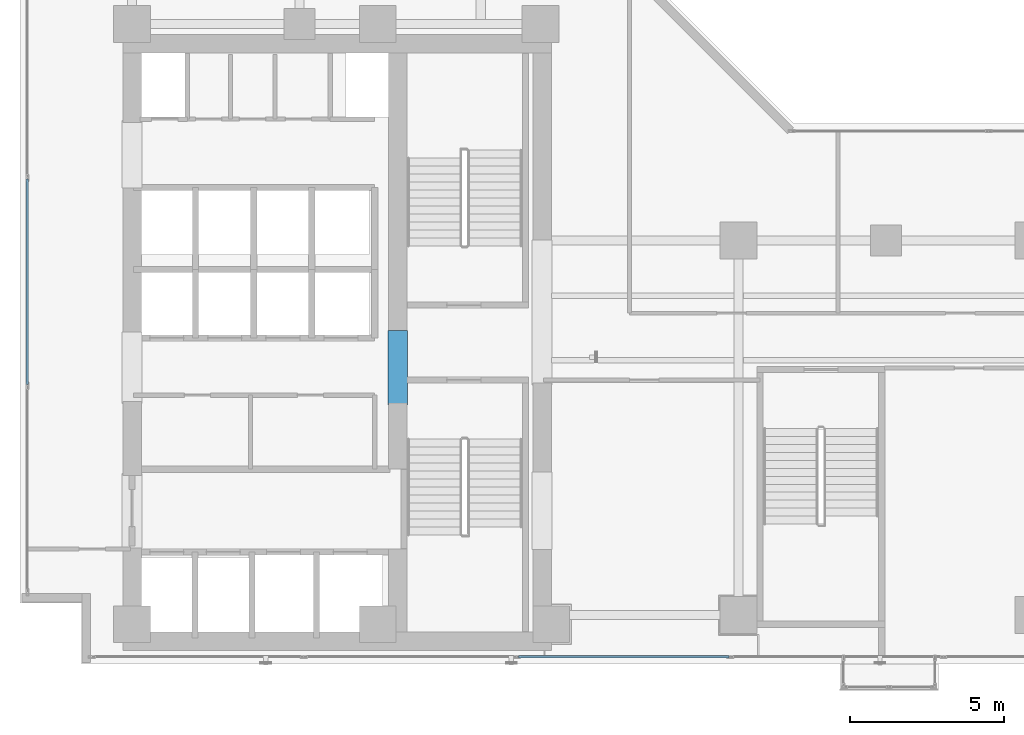
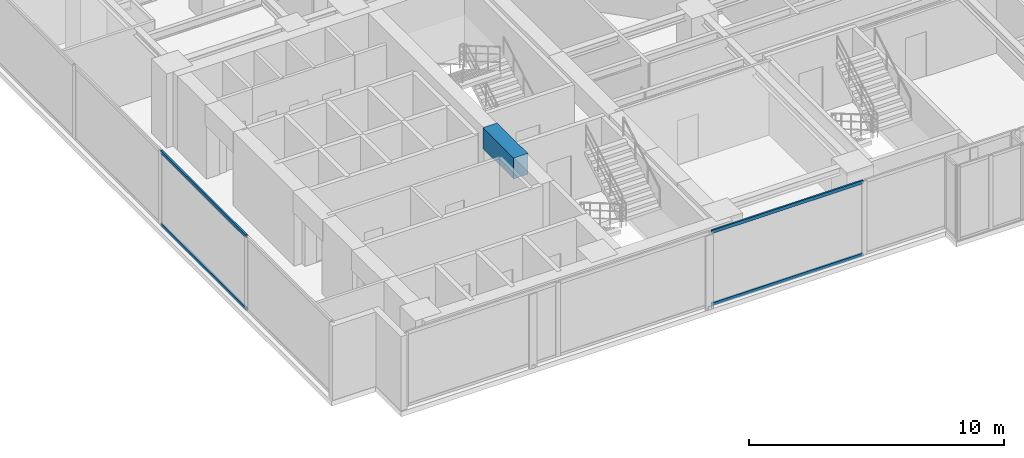
# One storey, part 3 of 24: 4 members, 1 beam, 2 elements without a shape of their own.
"""IFC4 building model written with IfcOpenShell, lengths in metres."""

from ifc_helpers import new_model, si_unit, direction, frame, origin, origin_with_axes, origin_2d, place, context, subcontext, project, spatial, rectangle, hollow_rectangle, extrude, source, transform, mapped, material, layer, layer_set, material_profile, profile_set, type_object, element, aggregate, save


model = new_model("IFC4")

# Units and contexts
model_context = context("Model", 3, precision=1e-05, world=origin(), true_north=direction((0.0, 1.0)))
body_context = subcontext(model_context, "Body", "Model", "MODEL_VIEW")
ifc_project = project(units=[si_unit("LENGTHUNIT", "METRE"), si_unit("AREAUNIT", "SQUARE_METRE"), si_unit("VOLUMEUNIT", "CUBIC_METRE"), si_unit("PLANEANGLEUNIT", "RADIAN"), si_unit("MASSUNIT", "GRAM", prefix="KILO")], contexts=[model_context])

# Site, building, storey
site_placement = place(None, origin())
site = spatial("IfcSite", under=ifc_project, at=site_placement, CompositionType="ELEMENT")
building_placement = place(site_placement, origin())
building = spatial("IfcBuilding", under=site, at=building_placement, Name="Kolvaren Waterfront Exchange", CompositionType="ELEMENT")
storey_placement = place(building_placement, frame((0.0, 0.0, 172.800048828125)))
storey = spatial("IfcBuildingStorey", under=building, at=storey_placement, Name="L44", CompositionType="ELEMENT", Elevation=172.800048828125)

# Beam
ifc_material_1 = material(Name="Concrete C60/75", Category="concrete")
ifc_material_profile_1 = material_profile(ifc_material_1, rectangle(XDim=0.64990234375, YDim=1.0, at=origin_2d()), Name="RC-CB-1000x650")
ifc_profile_set_1 = profile_set([ifc_material_profile_1], Name="Concrete C60/75")
beam_type = type_object("IfcBeamType", Name="STR-CB-1000", PredefinedType="SPANDREL", material=ifc_profile_set_1)
beam_placement = place(storey_placement, frame((16.10009765625, 12.0400390625, 3.06005859375), z_axis=(0.0, 1.0, 0.0), x_axis=(-1.0, 0.0, 0.0)))
element("IfcBeam", 1, at=beam_placement, inside=storey, type_object=beam_type, Name="L44 core coupling beam 6", PredefinedType="SPANDREL", context=body_context, shape_type="SweptSolid", body=[
    extrude(rectangle(XDim=0.64990234375, YDim=1.0, at=origin_2d()), origin(), (0.0, 0.0, 1.0), 2.419921875),
])

# Curtain wall, members
ifc_material_2 = material(Name="Anodised bronze aluminium 6063-T6", Category="aluminium")
ifc_layer_1 = layer(ifc_material_2, 0.219970703125, Name="Anodised bronze aluminium 6063-T6")
ifc_layer_set_1 = layer_set([ifc_layer_1], Name="Anodised bronze aluminium 6063-T6")
curtain_wall_type_1 = type_object("IfcCurtainWallType", Name="ARC-CW-SYS1", PredefinedType="USERDEFINED", material=ifc_layer_set_1)
curtain_wall_1_placement = place(storey_placement, origin())
curtain_wall_1 = element("IfcCurtainWall", 2, at=curtain_wall_1_placement, inside=storey, type_object=curtain_wall_type_1, Name="L44 stick curtain wall CW1 (CW-L44-S)", ObjectType="STICK CURTAIN WALL", PredefinedType="USERDEFINED")
ifc_material_3 = material(Name="Anodised aluminium 6063-T6", Category="aluminium")
ifc_material_profile_2 = material_profile(ifc_material_3, hollow_rectangle(XDim=0.074951171875, YDim=0.159912109375, WallThickness=0.00439453125, at=origin_2d()), Name="ALU-TRN-160x75x4.5")
ifc_profile_set_2 = profile_set([ifc_material_profile_2], Name="Anodised aluminium 6063-T6")
member_type = type_object("IfcMemberType", Name="ARC-CWT-160", PredefinedType="USERDEFINED", material=ifc_profile_set_2)
shared_shape_1 = source(origin_with_axes(), body_context, "Body", "SweptSolid", [
    extrude(hollow_rectangle(XDim=0.074951171875, YDim=0.159912109375, WallThickness=0.00439453125, at=origin_2d()), origin(), (0.0, 0.0, 1.0), 6.863037109375),
])
member_1_placement = place(storey_placement, frame((20.025634765625, 3.840087890625, 0.037353515625), z_axis=(1.0, 0.0, 0.0), x_axis=(0.0, 1.0, 0.0)))
member_1 = element("IfcMember", 3, at=member_1_placement, type_object=member_type, Name="CW1 transom 3.1", ObjectType="TRANSOM", PredefinedType="USERDEFINED", context=body_context, shape_type="MappedRepresentation", body=[
    mapped(shared_shape_1, transform((0.0, 0.0, 0.0), x_axis=(1.0, 0.0, 0.0), y_axis=(0.0, 1.0, 0.0), z_axis=(0.0, 0.0, 1.0), scale=1.0)),
])
member_2_placement = place(storey_placement, frame((20.025634765625, 3.840087890625, 3.5224609375), z_axis=(1.0, 0.0, 0.0), x_axis=(0.0, 1.0, 0.0)))
member_2 = element("IfcMember", 4, at=member_2_placement, type_object=member_type, Name="CW1 transom 3.2", ObjectType="TRANSOM", PredefinedType="USERDEFINED", context=body_context, shape_type="MappedRepresentation", body=[
    mapped(shared_shape_1, transform((0.0, 0.0, 0.0), x_axis=(1.0, 0.0, 0.0), y_axis=(0.0, 1.0, 0.0), z_axis=(0.0, 0.0, 1.0), scale=1.0)),
])
aggregate(curtain_wall_1, [member_1, member_2])

ifc_layer_2 = layer(ifc_material_3, 0.219970703125, Name="Anodised aluminium 6063-T6")
ifc_layer_set_2 = layer_set([ifc_layer_2], Name="Anodised aluminium 6063-T6")
curtain_wall_type_2 = type_object("IfcCurtainWallType", Name="ARC-CW-SYS2", PredefinedType="USERDEFINED", material=ifc_layer_set_2)
curtain_wall_2_placement = place(storey_placement, origin())
curtain_wall_2 = element("IfcCurtainWall", 5, at=curtain_wall_2_placement, inside=storey, type_object=curtain_wall_type_2, Name="L44 stick curtain wall CW2 (CW-L44-W)", ObjectType="STICK CURTAIN WALL", PredefinedType="USERDEFINED")
shared_shape_2 = source(origin_with_axes(), body_context, "Body", "SweptSolid", [
    extrude(hollow_rectangle(XDim=0.074951171875, YDim=0.159912109375, WallThickness=0.00439453125, at=origin_2d()), origin(), (0.0, 0.0, 1.0), 6.6865234375),
])
member_3_placement = place(storey_placement, frame((4.0400390625, 12.706787109375, 0.037353515625), z_axis=(0.0, 1.0, 0.0), x_axis=(-1.0, 0.0, 0.0)))
member_3 = element("IfcMember", 6, at=member_3_placement, type_object=member_type, Name="CW2 transom 2.1", ObjectType="TRANSOM", PredefinedType="USERDEFINED", context=body_context, shape_type="MappedRepresentation", body=[
    mapped(shared_shape_2, transform((0.0, 0.0, 0.0), x_axis=(1.0, 0.0, 0.0), y_axis=(0.0, 1.0, 0.0), z_axis=(0.0, 0.0, 1.0), scale=1.0)),
])
member_4_placement = place(storey_placement, frame((4.0400390625, 12.706787109375, 3.5224609375), z_axis=(0.0, 1.0, 0.0), x_axis=(-1.0, 0.0, 0.0)))
member_4 = element("IfcMember", 7, at=member_4_placement, type_object=member_type, Name="CW2 transom 2.2", ObjectType="TRANSOM", PredefinedType="USERDEFINED", context=body_context, shape_type="MappedRepresentation", body=[
    mapped(shared_shape_2, transform((0.0, 0.0, 0.0), x_axis=(1.0, 0.0, 0.0), y_axis=(0.0, 1.0, 0.0), z_axis=(0.0, 0.0, 1.0), scale=1.0)),
])
aggregate(curtain_wall_2, [member_3, member_4])

save(model, "model.ifc")
